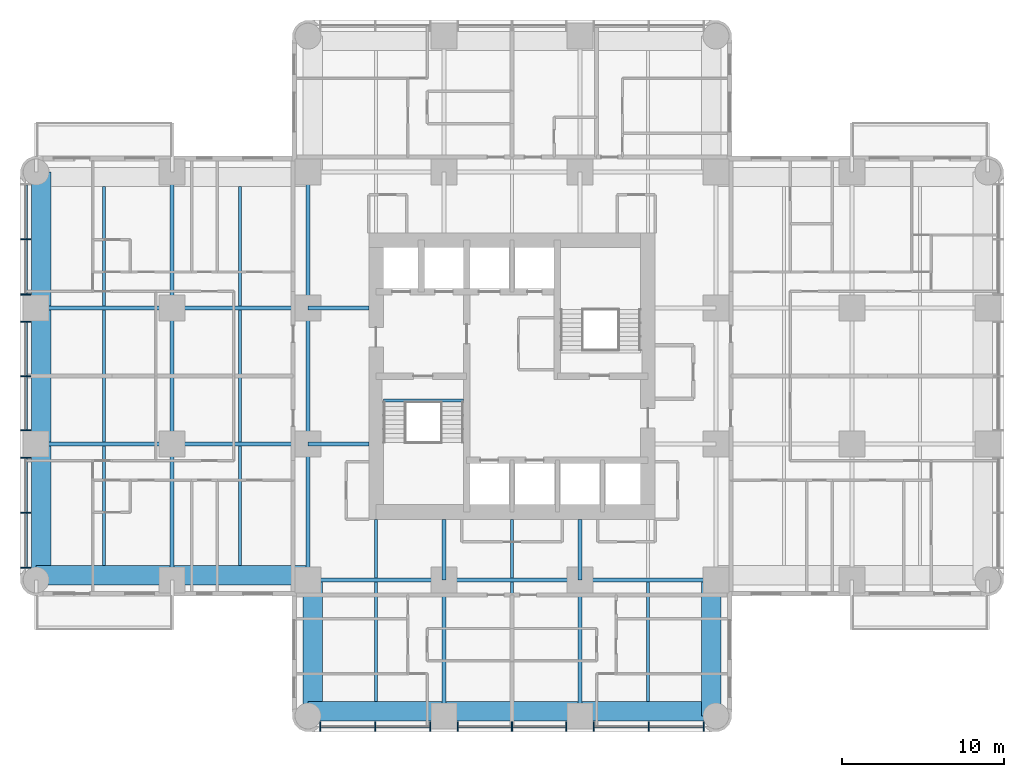
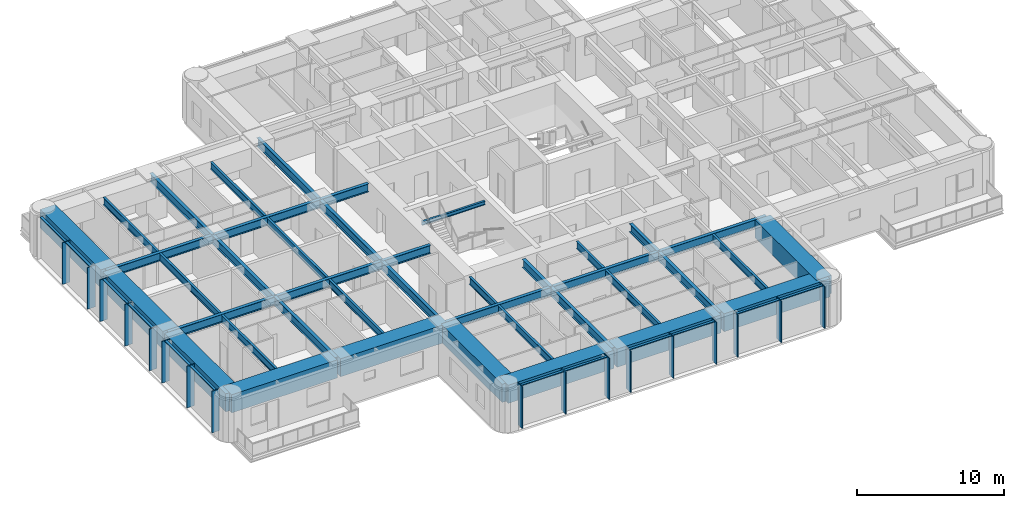
# One storey, part 2 of 15: 41 beams, 29 members, 2 elements without a shape of their own.
"""IFC4 building model written with IfcOpenShell, lengths in metres."""

from ifc_helpers import new_model, si_unit, direction, frame, origin, origin_2d, place, context, subcontext, project, spatial, rectangle, i_section, extrude, material, material_profile, profile_set, type_object, element, aggregate, save


model = new_model("IFC4")

# Units and contexts
model_context = context("Model", 3, precision=1e-05, world=origin(), true_north=direction((0.0, 1.0)))
body_context = subcontext(model_context, "Body", "Model", "MODEL_VIEW")
ifc_project = project(units=[si_unit("LENGTHUNIT", "METRE"), si_unit("AREAUNIT", "SQUARE_METRE"), si_unit("VOLUMEUNIT", "CUBIC_METRE"), si_unit("PLANEANGLEUNIT", "RADIAN"), si_unit("MASSUNIT", "GRAM", prefix="KILO")], contexts=[model_context])

# Site, building, storey
site_placement = place(None, origin())
site = spatial("IfcSite", under=ifc_project, at=site_placement, CompositionType="ELEMENT")
building_placement = place(site_placement, origin())
building = spatial("IfcBuilding", under=site, at=building_placement, Name="Torre Alcanfor", CompositionType="ELEMENT")
storey_placement = place(building_placement, frame((0.0, 0.0, 144.89990234375)))
storey = spatial("IfcBuildingStorey", under=building, at=storey_placement, Name="L37", CompositionType="ELEMENT", Elevation=144.89990234375)

# Curtain wall, members
ifc_material_1 = material(Name="Aluminium and glass", Category="aluminium")
curtain_wall_type = type_object("IfcCurtainWallType", Name="CW-A unitised apartment glazing with vertical FIN", PredefinedType="NOTDEFINED", material=ifc_material_1)
curtain_wall_1_placement = place(storey_placement, origin())
curtain_wall_1 = element("IfcCurtainWall", 1, at=curtain_wall_1_placement, inside=storey, type_object=curtain_wall_type, Name="Curtain wall CW-A L37 2", PredefinedType="NOTDEFINED")
ifc_material_2 = material(Name="Bronze anodised aluminium", Category="aluminium")
ifc_material_profile_1 = material_profile(ifc_material_2, rectangle(XDim=0.60009765625, YDim=0.06494140625, at=origin_2d()), Name="CW-A mullion 65x600")
ifc_profile_set_1 = profile_set([ifc_material_profile_1], Name="Bronze anodised aluminium")
member_type_1 = type_object("IfcMemberType", Name="CW-A mullion with vertical FIN 65x600", PredefinedType="MULLION", material=ifc_profile_set_1)
member_1_placement = place(storey_placement, frame((-0.64990234375, 37.840087890625, 0.0), z_axis=(0.0, 0.0, 1.0), x_axis=(1.0, 0.0, 0.0)))
member_1 = element("IfcMember", 2, at=member_1_placement, type_object=member_type_1, Name="CW-A mullion 1.2", PredefinedType="MULLION", context=body_context, shape_type="SweptSolid", body=[
    extrude(rectangle(XDim=0.60009765625, YDim=0.06494140625, at=origin_2d()), origin(), (0.0, 0.0, 1.0), 3.4501953125),
])
member_2_placement = place(storey_placement, frame((-0.64990234375, 34.4375, 0.0), z_axis=(0.0, 0.0, 1.0), x_axis=(1.0, 0.0, 0.0)))
member_2 = element("IfcMember", 3, at=member_2_placement, type_object=member_type_1, Name="CW-A mullion 1.3", PredefinedType="MULLION", context=body_context, shape_type="SweptSolid", body=[
    extrude(rectangle(XDim=0.60009765625, YDim=0.06494140625, at=origin_2d()), origin(), (0.0, 0.0, 1.0), 3.4501953125),
])
member_3_placement = place(storey_placement, frame((-0.64990234375, 32.762451171875, 0.0), z_axis=(0.0, 0.0, 1.0), x_axis=(1.0, 0.0, 0.0)))
member_3 = element("IfcMember", 4, at=member_3_placement, type_object=member_type_1, Name="CW-A mullion 2.1", PredefinedType="MULLION", context=body_context, shape_type="SweptSolid", body=[
    extrude(rectangle(XDim=0.60009765625, YDim=0.06494140625, at=origin_2d()), origin(), (0.0, 0.0, 1.0), 3.4501953125),
])
member_4_placement = place(storey_placement, frame((-0.64990234375, 29.39990234375, 0.0), z_axis=(0.0, 0.0, 1.0), x_axis=(1.0, 0.0, 0.0)))
member_4 = element("IfcMember", 5, at=member_4_placement, type_object=member_type_1, Name="CW-A mullion 2.2", PredefinedType="MULLION", context=body_context, shape_type="SweptSolid", body=[
    extrude(rectangle(XDim=0.60009765625, YDim=0.06494140625, at=origin_2d()), origin(), (0.0, 0.0, 1.0), 3.4501953125),
])
member_5_placement = place(storey_placement, frame((-0.64990234375, 26.03759765625, 0.0), z_axis=(0.0, 0.0, 1.0), x_axis=(1.0, 0.0, 0.0)))
member_5 = element("IfcMember", 6, at=member_5_placement, type_object=member_type_1, Name="CW-A mullion 2.3", PredefinedType="MULLION", context=body_context, shape_type="SweptSolid", body=[
    extrude(rectangle(XDim=0.60009765625, YDim=0.06494140625, at=origin_2d()), origin(), (0.0, 0.0, 1.0), 3.4501953125),
])
member_6_placement = place(storey_placement, frame((-0.64990234375, 24.362548828125, 0.0), z_axis=(0.0, 0.0, 1.0), x_axis=(1.0, 0.0, 0.0)))
member_6 = element("IfcMember", 7, at=member_6_placement, type_object=member_type_1, Name="CW-A mullion 3.1", PredefinedType="MULLION", context=body_context, shape_type="SweptSolid", body=[
    extrude(rectangle(XDim=0.60009765625, YDim=0.06494140625, at=origin_2d()), origin(), (0.0, 0.0, 1.0), 3.4501953125),
])
member_7_placement = place(storey_placement, frame((-0.64990234375, 20.9599609375, 0.0), z_axis=(0.0, 0.0, 1.0), x_axis=(1.0, 0.0, 0.0)))
member_7 = element("IfcMember", 8, at=member_7_placement, type_object=member_type_1, Name="CW-A mullion 3.2", PredefinedType="MULLION", context=body_context, shape_type="SweptSolid", body=[
    extrude(rectangle(XDim=0.60009765625, YDim=0.06494140625, at=origin_2d()), origin(), (0.0, 0.0, 1.0), 3.4501953125),
])
member_8_placement = place(storey_placement, frame((-0.64990234375, 17.557373046875, 0.0), z_axis=(0.0, 0.0, 1.0), x_axis=(1.0, 0.0, 0.0)))
member_8 = element("IfcMember", 9, at=member_8_placement, type_object=member_type_1, Name="CW-A mullion 3.3", PredefinedType="MULLION", context=body_context, shape_type="SweptSolid", body=[
    extrude(rectangle(XDim=0.60009765625, YDim=0.06494140625, at=origin_2d()), origin(), (0.0, 0.0, 1.0), 3.4501953125),
])

curtain_wall_2_placement = place(storey_placement, origin())
curtain_wall_2 = element("IfcCurtainWall", 10, at=curtain_wall_2_placement, inside=storey, type_object=curtain_wall_type, Name="Curtain wall CW-A L37 5", PredefinedType="NOTDEFINED")
member_9_placement = place(storey_placement, frame((17.557373046875, 7.75, 0.0), z_axis=(0.0, 0.0, 1.0), x_axis=(0.0, 1.0, 0.0)))
member_9 = element("IfcMember", 11, at=member_9_placement, type_object=member_type_1, Name="CW-A mullion 1.1", PredefinedType="MULLION", context=body_context, shape_type="SweptSolid", body=[
    extrude(rectangle(XDim=0.60009765625, YDim=0.06494140625, at=origin_2d()), origin(), (0.0, 0.0, 1.0), 3.4501953125),
])
member_10_placement = place(storey_placement, frame((20.9599609375, 7.75, 0.0), z_axis=(0.0, 0.0, 1.0), x_axis=(0.0, 1.0, 0.0)))
member_10 = element("IfcMember", 12, at=member_10_placement, type_object=member_type_1, Name="CW-A mullion 1.2", PredefinedType="MULLION", context=body_context, shape_type="SweptSolid", body=[
    extrude(rectangle(XDim=0.60009765625, YDim=0.06494140625, at=origin_2d()), origin(), (0.0, 0.0, 1.0), 3.4501953125),
])
member_11_placement = place(storey_placement, frame((24.362548828125, 7.75, 0.0), z_axis=(0.0, 0.0, 1.0), x_axis=(0.0, 1.0, 0.0)))
member_11 = element("IfcMember", 13, at=member_11_placement, type_object=member_type_1, Name="CW-A mullion 1.3", PredefinedType="MULLION", context=body_context, shape_type="SweptSolid", body=[
    extrude(rectangle(XDim=0.60009765625, YDim=0.06494140625, at=origin_2d()), origin(), (0.0, 0.0, 1.0), 3.4501953125),
])
member_12_placement = place(storey_placement, frame((26.03759765625, 7.75, 0.0), z_axis=(0.0, 0.0, 1.0), x_axis=(0.0, 1.0, 0.0)))
member_12 = element("IfcMember", 14, at=member_12_placement, type_object=member_type_1, Name="CW-A mullion 2.1", PredefinedType="MULLION", context=body_context, shape_type="SweptSolid", body=[
    extrude(rectangle(XDim=0.60009765625, YDim=0.06494140625, at=origin_2d()), origin(), (0.0, 0.0, 1.0), 3.4501953125),
])
member_13_placement = place(storey_placement, frame((29.39990234375, 7.75, 0.0), z_axis=(0.0, 0.0, 1.0), x_axis=(0.0, 1.0, 0.0)))
member_13 = element("IfcMember", 15, at=member_13_placement, type_object=member_type_1, Name="CW-A mullion 2.2", PredefinedType="MULLION", context=body_context, shape_type="SweptSolid", body=[
    extrude(rectangle(XDim=0.60009765625, YDim=0.06494140625, at=origin_2d()), origin(), (0.0, 0.0, 1.0), 3.4501953125),
])
member_14_placement = place(storey_placement, frame((32.762451171875, 7.75, 0.0), z_axis=(0.0, 0.0, 1.0), x_axis=(0.0, 1.0, 0.0)))
member_14 = element("IfcMember", 16, at=member_14_placement, type_object=member_type_1, Name="CW-A mullion 2.3", PredefinedType="MULLION", context=body_context, shape_type="SweptSolid", body=[
    extrude(rectangle(XDim=0.60009765625, YDim=0.06494140625, at=origin_2d()), origin(), (0.0, 0.0, 1.0), 3.4501953125),
])
member_15_placement = place(storey_placement, frame((34.4375, 7.75, 0.0), z_axis=(0.0, 0.0, 1.0), x_axis=(0.0, 1.0, 0.0)))
member_15 = element("IfcMember", 17, at=member_15_placement, type_object=member_type_1, Name="CW-A mullion 3.1", PredefinedType="MULLION", context=body_context, shape_type="SweptSolid", body=[
    extrude(rectangle(XDim=0.60009765625, YDim=0.06494140625, at=origin_2d()), origin(), (0.0, 0.0, 1.0), 3.4501953125),
])
member_16_placement = place(storey_placement, frame((37.840087890625, 7.75, 0.0), z_axis=(0.0, 0.0, 1.0), x_axis=(0.0, 1.0, 0.0)))
member_16 = element("IfcMember", 18, at=member_16_placement, type_object=member_type_1, Name="CW-A mullion 3.2", PredefinedType="MULLION", context=body_context, shape_type="SweptSolid", body=[
    extrude(rectangle(XDim=0.60009765625, YDim=0.06494140625, at=origin_2d()), origin(), (0.0, 0.0, 1.0), 3.4501953125),
])
member_17_placement = place(storey_placement, frame((41.24267578125, 7.75, 0.0), z_axis=(0.0, 0.0, 1.0), x_axis=(0.0, 1.0, 0.0)))
member_17 = element("IfcMember", 19, at=member_17_placement, type_object=member_type_1, Name="CW-A mullion 3.3", PredefinedType="MULLION", context=body_context, shape_type="SweptSolid", body=[
    extrude(rectangle(XDim=0.60009765625, YDim=0.06494140625, at=origin_2d()), origin(), (0.0, 0.0, 1.0), 3.4501953125),
])

# Member
ifc_material_3 = material(Name="Extruded aluminium", Category="aluminium")
ifc_material_profile_2 = material_profile(ifc_material_3, rectangle(XDim=0.199951171875, YDim=0.06494140625, at=origin_2d()), Name="CW-A transom 200x65")
ifc_profile_set_2 = profile_set([ifc_material_profile_2], Name="Extruded aluminium")
member_type_2 = type_object("IfcMemberType", Name="CW-A transom 65x200", PredefinedType="USERDEFINED", material=ifc_profile_set_2)
member_18_placement = place(storey_placement, frame((-0.64990234375, 41.210205078125, 3.41748046875), z_axis=(0.0, -1.0, 0.0), x_axis=(1.0, 0.0, 0.0)))
member_18 = element("IfcMember", 20, at=member_18_placement, type_object=member_type_2, Name="CW-A transom 1.1.2", ObjectType="TRANSOM", PredefinedType="USERDEFINED", context=body_context, shape_type="SweptSolid", body=[
    extrude(rectangle(XDim=0.199951171875, YDim=0.06494140625, at=origin_2d()), origin(), (0.0, 0.0, 1.0), 3.337646484375),
])

member_19_placement = place(storey_placement, frame((-0.64990234375, 37.8076171875, 3.41748046875), z_axis=(0.0, -1.0, 0.0), x_axis=(1.0, 0.0, 0.0)))
member_19 = element("IfcMember", 21, at=member_19_placement, type_object=member_type_2, Name="CW-A transom 1.2.2", ObjectType="TRANSOM", PredefinedType="USERDEFINED", context=body_context, shape_type="SweptSolid", body=[
    extrude(rectangle(XDim=0.199951171875, YDim=0.06494140625, at=origin_2d()), origin(), (0.0, 0.0, 1.0), 3.337646484375),
])

member_20_placement = place(storey_placement, frame((-0.64990234375, 32.72998046875, 3.41748046875), z_axis=(0.0, -1.0, 0.0), x_axis=(1.0, 0.0, 0.0)))
member_20 = element("IfcMember", 22, at=member_20_placement, type_object=member_type_2, Name="CW-A transom 2.1.2", ObjectType="TRANSOM", PredefinedType="USERDEFINED", context=body_context, shape_type="SweptSolid", body=[
    extrude(rectangle(XDim=0.199951171875, YDim=0.06494140625, at=origin_2d()), origin(), (0.0, 0.0, 1.0), 3.29736328125),
])

member_21_placement = place(storey_placement, frame((-0.64990234375, 29.367431640625, 3.41748046875), z_axis=(0.0, -1.0, 0.0), x_axis=(1.0, 0.0, 0.0)))
member_21 = element("IfcMember", 23, at=member_21_placement, type_object=member_type_2, Name="CW-A transom 2.2.2", ObjectType="TRANSOM", PredefinedType="USERDEFINED", context=body_context, shape_type="SweptSolid", body=[
    extrude(rectangle(XDim=0.199951171875, YDim=0.06494140625, at=origin_2d()), origin(), (0.0, 0.0, 1.0), 3.29736328125),
])

member_22_placement = place(storey_placement, frame((-0.64990234375, 24.330078125, 3.41748046875), z_axis=(0.0, -1.0, 0.0), x_axis=(1.0, 0.0, 0.0)))
member_22 = element("IfcMember", 24, at=member_22_placement, type_object=member_type_2, Name="CW-A transom 3.1.2", ObjectType="TRANSOM", PredefinedType="USERDEFINED", context=body_context, shape_type="SweptSolid", body=[
    extrude(rectangle(XDim=0.199951171875, YDim=0.06494140625, at=origin_2d()), origin(), (0.0, 0.0, 1.0), 3.337646484375),
])

member_23_placement = place(storey_placement, frame((-0.64990234375, 20.927490234375, 3.41748046875), z_axis=(0.0, -1.0, 0.0), x_axis=(1.0, 0.0, 0.0)))
member_23 = element("IfcMember", 25, at=member_23_placement, type_object=member_type_2, Name="CW-A transom 3.2.2", ObjectType="TRANSOM", PredefinedType="USERDEFINED", context=body_context, shape_type="SweptSolid", body=[
    extrude(rectangle(XDim=0.199951171875, YDim=0.06494140625, at=origin_2d()), origin(), (0.0, 0.0, 1.0), 3.337646484375),
])

aggregate(curtain_wall_1, [member_1, member_2, member_18, member_19, member_3, member_4, member_5, member_20, member_21, member_6, member_7, member_8, member_22, member_23])

member_24_placement = place(storey_placement, frame((17.58984375, 7.75, 3.41748046875), z_axis=(1.0, 0.0, 0.0), x_axis=(0.0, 1.0, 0.0)))
member_24 = element("IfcMember", 26, at=member_24_placement, type_object=member_type_2, Name="CW-A transom 1.1.2", ObjectType="TRANSOM", PredefinedType="USERDEFINED", context=body_context, shape_type="SweptSolid", body=[
    extrude(rectangle(XDim=0.199951171875, YDim=0.06494140625, at=origin_2d()), origin(), (0.0, 0.0, 1.0), 3.337646484375),
])

member_25_placement = place(storey_placement, frame((20.992431640625, 7.75, 3.41748046875), z_axis=(1.0, 0.0, 0.0), x_axis=(0.0, 1.0, 0.0)))
member_25 = element("IfcMember", 27, at=member_25_placement, type_object=member_type_2, Name="CW-A transom 1.2.2", ObjectType="TRANSOM", PredefinedType="USERDEFINED", context=body_context, shape_type="SweptSolid", body=[
    extrude(rectangle(XDim=0.199951171875, YDim=0.06494140625, at=origin_2d()), origin(), (0.0, 0.0, 1.0), 3.337646484375),
])

member_26_placement = place(storey_placement, frame((26.070068359375, 7.75, 3.41748046875), z_axis=(1.0, 0.0, 0.0), x_axis=(0.0, 1.0, 0.0)))
member_26 = element("IfcMember", 28, at=member_26_placement, type_object=member_type_2, Name="CW-A transom 2.1.2", ObjectType="TRANSOM", PredefinedType="USERDEFINED", context=body_context, shape_type="SweptSolid", body=[
    extrude(rectangle(XDim=0.199951171875, YDim=0.06494140625, at=origin_2d()), origin(), (0.0, 0.0, 1.0), 3.29736328125),
])

member_27_placement = place(storey_placement, frame((29.4326171875, 7.75, 3.41748046875), z_axis=(1.0, 0.0, 0.0), x_axis=(0.0, 1.0, 0.0)))
member_27 = element("IfcMember", 29, at=member_27_placement, type_object=member_type_2, Name="CW-A transom 2.2.2", ObjectType="TRANSOM", PredefinedType="USERDEFINED", context=body_context, shape_type="SweptSolid", body=[
    extrude(rectangle(XDim=0.199951171875, YDim=0.06494140625, at=origin_2d()), origin(), (0.0, 0.0, 1.0), 3.29736328125),
])

member_28_placement = place(storey_placement, frame((34.469970703125, 7.75, 3.41748046875), z_axis=(1.0, 0.0, 0.0), x_axis=(0.0, 1.0, 0.0)))
member_28 = element("IfcMember", 30, at=member_28_placement, type_object=member_type_2, Name="CW-A transom 3.1.2", ObjectType="TRANSOM", PredefinedType="USERDEFINED", context=body_context, shape_type="SweptSolid", body=[
    extrude(rectangle(XDim=0.199951171875, YDim=0.06494140625, at=origin_2d()), origin(), (0.0, 0.0, 1.0), 3.337646484375),
])

member_29_placement = place(storey_placement, frame((37.87255859375, 7.75, 3.41748046875), z_axis=(1.0, 0.0, 0.0), x_axis=(0.0, 1.0, 0.0)))
member_29 = element("IfcMember", 31, at=member_29_placement, type_object=member_type_2, Name="CW-A transom 3.2.2", ObjectType="TRANSOM", PredefinedType="USERDEFINED", context=body_context, shape_type="SweptSolid", body=[
    extrude(rectangle(XDim=0.199951171875, YDim=0.06494140625, at=origin_2d()), origin(), (0.0, 0.0, 1.0), 3.337646484375),
])

aggregate(curtain_wall_2, [member_9, member_10, member_11, member_24, member_25, member_12, member_13, member_14, member_26, member_27, member_15, member_16, member_17, member_28, member_29])

# Beams
ifc_material_4 = material(Name="Steel ASTM A992 Grade 50", Category="steel")
ifc_material_profile_3 = material_profile(ifc_material_4, i_section(OverallWidth=0.25390625, OverallDepth=0.683349609375, WebThickness=0.012451171875, FlangeThickness=0.01904296875, at=origin_2d()), Name="W27x94")
ifc_profile_set_3 = profile_set([ifc_material_profile_3], Name="Steel ASTM A992 Grade 50")
beam_type_1 = type_object("IfcBeamType", Name="Girder W27x94", PredefinedType="BEAM", material=ifc_profile_set_3)
beam_1_placement = place(storey_placement, frame((16.800048828125, 16.800048828125, 3.1083984375), z_axis=(1.0, 0.0, 0.0), x_axis=(0.0, 1.0, 0.0)))
element("IfcBeam", 32, at=beam_1_placement, inside=storey, type_object=beam_type_1, Name="Beam 3E-4E under L38", PredefinedType="BEAM", context=body_context, shape_type="SweptSolid", body=[
    extrude(i_section(OverallWidth=0.25390625, OverallDepth=0.683349609375, WebThickness=0.012451171875, FlangeThickness=0.01904296875, at=origin_2d()), origin(), (0.0, 0.0, 1.0), 8.39990234375),
])
beam_2_placement = place(storey_placement, frame((25.199951171875, 16.800048828125, 3.1083984375), z_axis=(1.0, 0.0, 0.0), x_axis=(0.0, 1.0, 0.0)))
element("IfcBeam", 33, at=beam_2_placement, inside=storey, type_object=beam_type_1, Name="Beam 4E-5E under L38", PredefinedType="BEAM", context=body_context, shape_type="SweptSolid", body=[
    extrude(i_section(OverallWidth=0.25390625, OverallDepth=0.683349609375, WebThickness=0.012451171875, FlangeThickness=0.01904296875, at=origin_2d()), origin(), (0.0, 0.0, 1.0), 8.400146484375),
])
for number, where, z_axis, x_axis, name in (
    (34, (33.60009765625, 16.800048828125, 3.1083984375), (1.0, 0.0, 0.0), (0.0, 1.0, 0.0), "Beam 5E-6E under L38"),
    (35, (0.0, 25.199951171875, 3.1083984375), (1.0, 0.0, 0.0), (0.0, 1.0, 0.0), "Beam 1F-2F under L38"),
):
    element("IfcBeam", number, at=place(storey_placement, frame(where, z_axis=z_axis, x_axis=x_axis)), inside=storey, type_object=beam_type_1, Name=name, PredefinedType="BEAM", context=body_context, shape_type="SweptSolid", body=[
        extrude(i_section(OverallWidth=0.25390625, OverallDepth=0.683349609375, WebThickness=0.012451171875, FlangeThickness=0.01904296875, at=origin_2d()), origin(), (0.0, 0.0, 1.0), 8.39990234375),
    ])
beam_3_placement = place(storey_placement, frame((8.39990234375, 25.199951171875, 3.1083984375), z_axis=(1.0, 0.0, 0.0), x_axis=(0.0, 1.0, 0.0)))
element("IfcBeam", 36, at=beam_3_placement, inside=storey, type_object=beam_type_1, Name="Beam 2F-3F under L38", PredefinedType="BEAM", context=body_context, shape_type="SweptSolid", body=[
    extrude(i_section(OverallWidth=0.25390625, OverallDepth=0.683349609375, WebThickness=0.012451171875, FlangeThickness=0.01904296875, at=origin_2d()), origin(), (0.0, 0.0, 1.0), 8.400146484375),
])
beam_4_placement = place(storey_placement, frame((0.0, 33.60009765625, 3.1083984375), z_axis=(1.0, 0.0, 0.0), x_axis=(0.0, 1.0, 0.0)))
element("IfcBeam", 37, at=beam_4_placement, inside=storey, type_object=beam_type_1, Name="Beam 1G-2G under L38", PredefinedType="BEAM", context=body_context, shape_type="SweptSolid", body=[
    extrude(i_section(OverallWidth=0.25390625, OverallDepth=0.683349609375, WebThickness=0.012451171875, FlangeThickness=0.01904296875, at=origin_2d()), origin(), (0.0, 0.0, 1.0), 8.39990234375),
])
beam_5_placement = place(storey_placement, frame((8.39990234375, 33.60009765625, 3.1083984375), z_axis=(1.0, 0.0, 0.0), x_axis=(0.0, 1.0, 0.0)))
element("IfcBeam", 38, at=beam_5_placement, inside=storey, type_object=beam_type_1, Name="Beam 2G-3G under L38", PredefinedType="BEAM", context=body_context, shape_type="SweptSolid", body=[
    extrude(i_section(OverallWidth=0.25390625, OverallDepth=0.683349609375, WebThickness=0.012451171875, FlangeThickness=0.01904296875, at=origin_2d()), origin(), (0.0, 0.0, 1.0), 8.400146484375),
])
beam_6_placement = place(storey_placement, frame((8.39990234375, 16.800048828125, 3.1083984375), z_axis=(0.0, 1.0, 0.0), x_axis=(-1.0, 0.0, 0.0)))
element("IfcBeam", 39, at=beam_6_placement, inside=storey, type_object=beam_type_1, Name="Beam 2E-2F under L38", PredefinedType="BEAM", context=body_context, shape_type="SweptSolid", body=[
    extrude(i_section(OverallWidth=0.25390625, OverallDepth=0.683349609375, WebThickness=0.012451171875, FlangeThickness=0.01904296875, at=origin_2d()), origin(), (0.0, 0.0, 1.0), 8.39990234375),
])
beam_7_placement = place(storey_placement, frame((8.39990234375, 25.199951171875, 3.1083984375), z_axis=(0.0, 1.0, 0.0), x_axis=(-1.0, 0.0, 0.0)))
element("IfcBeam", 40, at=beam_7_placement, inside=storey, type_object=beam_type_1, Name="Beam 2F-2G under L38", PredefinedType="BEAM", context=body_context, shape_type="SweptSolid", body=[
    extrude(i_section(OverallWidth=0.25390625, OverallDepth=0.683349609375, WebThickness=0.012451171875, FlangeThickness=0.01904296875, at=origin_2d()), origin(), (0.0, 0.0, 1.0), 8.400146484375),
])
for number, where, z_axis, x_axis, name in (
    (41, (8.39990234375, 33.60009765625, 3.1083984375), (0.0, 1.0, 0.0), (-1.0, 0.0, 0.0), "Beam 2G-2H under L38"),
    (42, (16.800048828125, 16.800048828125, 3.1083984375), (0.0, 1.0, 0.0), (-1.0, 0.0, 0.0), "Beam 3E-3F under L38"),
):
    element("IfcBeam", number, at=place(storey_placement, frame(where, z_axis=z_axis, x_axis=x_axis)), inside=storey, type_object=beam_type_1, Name=name, PredefinedType="BEAM", context=body_context, shape_type="SweptSolid", body=[
        extrude(i_section(OverallWidth=0.25390625, OverallDepth=0.683349609375, WebThickness=0.012451171875, FlangeThickness=0.01904296875, at=origin_2d()), origin(), (0.0, 0.0, 1.0), 8.39990234375),
    ])
beam_8_placement = place(storey_placement, frame((16.800048828125, 25.199951171875, 3.1083984375), z_axis=(0.0, 1.0, 0.0), x_axis=(-1.0, 0.0, 0.0)))
element("IfcBeam", 43, at=beam_8_placement, inside=storey, type_object=beam_type_1, Name="Beam 3F-3G under L38", PredefinedType="BEAM", context=body_context, shape_type="SweptSolid", body=[
    extrude(i_section(OverallWidth=0.25390625, OverallDepth=0.683349609375, WebThickness=0.012451171875, FlangeThickness=0.01904296875, at=origin_2d()), origin(), (0.0, 0.0, 1.0), 8.400146484375),
])
beam_9_placement = place(storey_placement, frame((16.800048828125, 33.60009765625, 3.1083984375), z_axis=(0.0, 1.0, 0.0), x_axis=(-1.0, 0.0, 0.0)))
element("IfcBeam", 44, at=beam_9_placement, inside=storey, type_object=beam_type_1, Name="Beam 3G-3H under L38", PredefinedType="BEAM", context=body_context, shape_type="SweptSolid", body=[
    extrude(i_section(OverallWidth=0.25390625, OverallDepth=0.683349609375, WebThickness=0.012451171875, FlangeThickness=0.01904296875, at=origin_2d()), origin(), (0.0, 0.0, 1.0), 8.39990234375),
])
for number, where, z_axis, x_axis, name in (
    (45, (25.199951171875, 8.39990234375, 3.1083984375), (0.0, 1.0, 0.0), (-1.0, 0.0, 0.0), "Beam 4D-4E under L38"),
    (46, (33.60009765625, 8.39990234375, 3.1083984375), (0.0, 1.0, 0.0), (-1.0, 0.0, 0.0), "Beam 5D-5E under L38"),
):
    element("IfcBeam", number, at=place(storey_placement, frame(where, z_axis=z_axis, x_axis=x_axis)), inside=storey, type_object=beam_type_1, Name=name, PredefinedType="BEAM", context=body_context, shape_type="SweptSolid", body=[
        extrude(i_section(OverallWidth=0.25390625, OverallDepth=0.683349609375, WebThickness=0.012451171875, FlangeThickness=0.01904296875, at=origin_2d()), origin(), (0.0, 0.0, 1.0), 8.400146484375),
    ])
ifc_material_5 = material(Name="Steel ASTM A992 Grade 50", Category="steel")
ifc_material_profile_4 = material_profile(ifc_material_5, i_section(OverallWidth=0.25390625, OverallDepth=0.683349609375, WebThickness=0.012451171875, FlangeThickness=0.01904296875, at=origin_2d()), Name="W27x94")
ifc_profile_set_4 = profile_set([ifc_material_profile_4], Name="Steel ASTM A992 Grade 50")
beam_type_2 = type_object("IfcBeamType", Name="Girder, part bay W27x94", PredefinedType="BEAM", material=ifc_profile_set_4)
for number, where, z_axis, x_axis, name in (
    (47, (25.199951171875, 16.800048828125, 3.1083984375), (0.0, 1.0, 0.0), (-1.0, 0.0, 0.0), "Beam 4E-420_55 under L38"),
    (48, (33.60009765625, 16.800048828125, 3.1083984375), (0.0, 1.0, 0.0), (-1.0, 0.0, 0.0), "Beam 5E-520_55 under L38"),
    (49, (16.800048828125, 25.199951171875, 3.1083984375), (1.0, 0.0, 0.0), (0.0, 1.0, 0.0), "Beam 3F-20_55F under L38"),
    (50, (16.800048828125, 33.60009765625, 3.1083984375), (1.0, 0.0, 0.0), (0.0, 1.0, 0.0), "Beam 3G-20_55G under L38"),
):
    element("IfcBeam", number, at=place(storey_placement, frame(where, z_axis=z_axis, x_axis=x_axis)), inside=storey, type_object=beam_type_2, Name=name, PredefinedType="BEAM", context=body_context, shape_type="SweptSolid", body=[
        extrude(i_section(OverallWidth=0.25390625, OverallDepth=0.683349609375, WebThickness=0.012451171875, FlangeThickness=0.01904296875, at=origin_2d()), origin(), (0.0, 0.0, 1.0), 3.75),
    ])
ifc_material_6 = material(Name="Concrete f'c 70 MPa", Category="concrete")
ifc_material_profile_5 = material_profile(ifc_material_6, rectangle(XDim=1.199951171875, YDim=1.5, at=origin_2d()), Name="1200x1500")
ifc_profile_set_5 = profile_set([ifc_material_profile_5], Name="Concrete f'c 70 MPa")
beam_type_3 = type_object("IfcBeamType", Name="RC perimeter beam 1200x1500", PredefinedType="BEAM", material=ifc_profile_set_5)
beam_10_placement = place(storey_placement, frame((16.800048828125, 8.699951171875, 2.7001953125), z_axis=(1.0, 0.0, 0.0), x_axis=(0.0, 1.0, 0.0)))
element("IfcBeam", 51, at=beam_10_placement, inside=storey, type_object=beam_type_3, Name="Beam 3D-4D under L38", PredefinedType="BEAM", context=body_context, shape_type="SweptSolid", body=[
    extrude(rectangle(XDim=1.199951171875, YDim=1.5, at=origin_2d()), origin(), (0.0, 0.0, 1.0), 8.27294921875),
])
beam_11_placement = place(storey_placement, frame((25.326904296875, 8.699951171875, 2.7001953125), z_axis=(1.0, 0.0, 0.0), x_axis=(0.0, 1.0, 0.0)))
element("IfcBeam", 52, at=beam_11_placement, inside=storey, type_object=beam_type_3, Name="Beam 4D-5D under L38", PredefinedType="BEAM", context=body_context, shape_type="SweptSolid", body=[
    extrude(rectangle(XDim=1.199951171875, YDim=1.5, at=origin_2d()), origin(), (0.0, 0.0, 1.0), 8.14599609375),
])
for number, where, z_axis, x_axis, name in (
    (53, (33.72705078125, 8.699951171875, 2.7001953125), (1.0, 0.0, 0.0), (0.0, 1.0, 0.0), "Beam 5D-6D under L38"),
    (54, (0.0, 17.10009765625, 2.7001953125), (1.0, 0.0, 0.0), (0.0, 1.0, 0.0), "Beam 1E-2E under L38"),
):
    element("IfcBeam", number, at=place(storey_placement, frame(where, z_axis=z_axis, x_axis=x_axis)), inside=storey, type_object=beam_type_3, Name=name, PredefinedType="BEAM", context=body_context, shape_type="SweptSolid", body=[
        extrude(rectangle(XDim=1.199951171875, YDim=1.5, at=origin_2d()), origin(), (0.0, 0.0, 1.0), 8.27294921875),
    ])
beam_12_placement = place(storey_placement, frame((8.527099609375, 17.10009765625, 2.7001953125), z_axis=(1.0, 0.0, 0.0), x_axis=(0.0, 1.0, 0.0)))
element("IfcBeam", 55, at=beam_12_placement, inside=storey, type_object=beam_type_3, Name="Beam 2E-3E under L38", PredefinedType="BEAM", context=body_context, shape_type="SweptSolid", body=[
    extrude(rectangle(XDim=1.199951171875, YDim=1.5, at=origin_2d()), origin(), (0.0, 0.0, 1.0), 8.39990234375),
])
beam_13_placement = place(storey_placement, frame((0.300048828125, 16.800048828125, 2.7001953125), z_axis=(0.0, 1.0, 0.0), x_axis=(-1.0, 0.0, 0.0)))
element("IfcBeam", 56, at=beam_13_placement, inside=storey, type_object=beam_type_3, Name="Beam 1E-1F under L38", PredefinedType="BEAM", context=body_context, shape_type="SweptSolid", body=[
    extrude(rectangle(XDim=1.199951171875, YDim=1.5, at=origin_2d()), origin(), (0.0, 0.0, 1.0), 8.27294921875),
])
beam_14_placement = place(storey_placement, frame((0.300048828125, 25.326904296875, 2.7001953125), z_axis=(0.0, 1.0, 0.0), x_axis=(-1.0, 0.0, 0.0)))
element("IfcBeam", 57, at=beam_14_placement, inside=storey, type_object=beam_type_3, Name="Beam 1F-1G under L38", PredefinedType="BEAM", context=body_context, shape_type="SweptSolid", body=[
    extrude(rectangle(XDim=1.199951171875, YDim=1.5, at=origin_2d()), origin(), (0.0, 0.0, 1.0), 8.14599609375),
])
beam_15_placement = place(storey_placement, frame((0.300048828125, 33.72705078125, 2.7001953125), z_axis=(0.0, 1.0, 0.0), x_axis=(-1.0, 0.0, 0.0)))
element("IfcBeam", 58, at=beam_15_placement, inside=storey, type_object=beam_type_3, Name="Beam 1G-1H under L38", PredefinedType="BEAM", context=body_context, shape_type="SweptSolid", body=[
    extrude(rectangle(XDim=1.199951171875, YDim=1.5, at=origin_2d()), origin(), (0.0, 0.0, 1.0), 8.27294921875),
])
for number, where, z_axis, x_axis, name in (
    (59, (17.10009765625, 8.39990234375, 2.7001953125), (0.0, 1.0, 0.0), (-1.0, 0.0, 0.0), "Beam 3D-3E under L38"),
    (60, (41.699951171875, 8.39990234375, 2.7001953125), (0.0, 1.0, 0.0), (-1.0, 0.0, 0.0), "Beam 6D-6E under L38"),
):
    element("IfcBeam", number, at=place(storey_placement, frame(where, z_axis=z_axis, x_axis=x_axis)), inside=storey, type_object=beam_type_3, Name=name, PredefinedType="BEAM", context=body_context, shape_type="SweptSolid", body=[
        extrude(rectangle(XDim=1.199951171875, YDim=1.5, at=origin_2d()), origin(), (0.0, 0.0, 1.0), 8.273193359375),
    ])
ifc_material_7 = material(Name="Steel ASTM A992 Grade 50", Category="steel")
ifc_material_profile_6 = material_profile(ifc_material_7, i_section(OverallWidth=0.1787109375, OverallDepth=0.60205078125, WebThickness=0.010986328125, FlangeThickness=0.014892578125, at=origin_2d()), Name="W24x62")
ifc_profile_set_6 = profile_set([ifc_material_profile_6], Name="Steel ASTM A992 Grade 50")
beam_type_4 = type_object("IfcBeamType", Name="Secondary beam W24x62", PredefinedType="BEAM", material=ifc_profile_set_6)
beam_16_placement = place(storey_placement, frame((4.199951171875, 17.699951171875, 3.149169921875), z_axis=(0.0, 1.0, 0.0), x_axis=(-1.0, 0.0, 0.0)))
element("IfcBeam", 61, at=beam_16_placement, inside=storey, type_object=beam_type_4, Name="Beam 4_2E-4_2F under L38", PredefinedType="BEAM", context=body_context, shape_type="SweptSolid", body=[
    extrude(i_section(OverallWidth=0.1787109375, OverallDepth=0.60205078125, WebThickness=0.010986328125, FlangeThickness=0.014892578125, at=origin_2d()), origin(), (0.0, 0.0, 1.0), 7.373046875),
])
beam_17_placement = place(storey_placement, frame((4.199951171875, 25.326904296875, 3.149169921875), z_axis=(0.0, 1.0, 0.0), x_axis=(-1.0, 0.0, 0.0)))
element("IfcBeam", 62, at=beam_17_placement, inside=storey, type_object=beam_type_4, Name="Beam 4_2F-4_2G under L38", PredefinedType="BEAM", context=body_context, shape_type="SweptSolid", body=[
    extrude(i_section(OverallWidth=0.1787109375, OverallDepth=0.60205078125, WebThickness=0.010986328125, FlangeThickness=0.014892578125, at=origin_2d()), origin(), (0.0, 0.0, 1.0), 8.14599609375),
])
for number, where, z_axis, x_axis, name in (
    (63, (4.199951171875, 33.72705078125, 3.149169921875), (0.0, 1.0, 0.0), (-1.0, 0.0, 0.0), "Beam 4_2G-4_2H under L38"),
    (64, (12.60009765625, 17.699951171875, 3.149169921875), (0.0, 1.0, 0.0), (-1.0, 0.0, 0.0), "Beam 12_6E-12_6F under L38"),
):
    element("IfcBeam", number, at=place(storey_placement, frame(where, z_axis=z_axis, x_axis=x_axis)), inside=storey, type_object=beam_type_4, Name=name, PredefinedType="BEAM", context=body_context, shape_type="SweptSolid", body=[
        extrude(i_section(OverallWidth=0.1787109375, OverallDepth=0.60205078125, WebThickness=0.010986328125, FlangeThickness=0.014892578125, at=origin_2d()), origin(), (0.0, 0.0, 1.0), 7.373046875),
    ])
beam_18_placement = place(storey_placement, frame((12.60009765625, 25.326904296875, 3.149169921875), z_axis=(0.0, 1.0, 0.0), x_axis=(-1.0, 0.0, 0.0)))
element("IfcBeam", 65, at=beam_18_placement, inside=storey, type_object=beam_type_4, Name="Beam 12_6F-12_6G under L38", PredefinedType="BEAM", context=body_context, shape_type="SweptSolid", body=[
    extrude(i_section(OverallWidth=0.1787109375, OverallDepth=0.60205078125, WebThickness=0.010986328125, FlangeThickness=0.014892578125, at=origin_2d()), origin(), (0.0, 0.0, 1.0), 8.14599609375),
])
for number, where, z_axis, x_axis, name in (
    (66, (12.60009765625, 33.72705078125, 3.149169921875), (0.0, 1.0, 0.0), (-1.0, 0.0, 0.0), "Beam 12_6G-12_6H under L38"),
    (67, (21.0, 9.300048828125, 3.149169921875), (0.0, 1.0, 0.0), (-1.0, 0.0, 0.0), "Beam 21D-21E under L38"),
    (68, (29.39990234375, 9.300048828125, 3.149169921875), (0.0, 1.0, 0.0), (-1.0, 0.0, 0.0), "Beam 29_4D-29_4E under L38"),
    (69, (37.800048828125, 9.300048828125, 3.149169921875), (0.0, 1.0, 0.0), (-1.0, 0.0, 0.0), "Beam 37_8D-37_8E under L38"),
):
    element("IfcBeam", number, at=place(storey_placement, frame(where, z_axis=z_axis, x_axis=x_axis)), inside=storey, type_object=beam_type_4, Name=name, PredefinedType="BEAM", context=body_context, shape_type="SweptSolid", body=[
        extrude(i_section(OverallWidth=0.1787109375, OverallDepth=0.60205078125, WebThickness=0.010986328125, FlangeThickness=0.014892578125, at=origin_2d()), origin(), (0.0, 0.0, 1.0), 7.373046875),
    ])
ifc_material_8 = material(Name="Steel ASTM A992 Grade 50", Category="steel")
ifc_material_profile_7 = material_profile(ifc_material_8, i_section(OverallWidth=0.1787109375, OverallDepth=0.60205078125, WebThickness=0.010986328125, FlangeThickness=0.014892578125, at=origin_2d()), Name="W24x62")
ifc_profile_set_7 = profile_set([ifc_material_profile_7], Name="Steel ASTM A992 Grade 50")
beam_type_5 = type_object("IfcBeamType", Name="Secondary beam, part bay W24x62", PredefinedType="BEAM", material=ifc_profile_set_7)
for number, where, z_axis, x_axis, name in (
    (70, (21.0, 16.927001953125, 3.149169921875), (0.0, 1.0, 0.0), (-1.0, 0.0, 0.0), "Beam 21E-2120_55 under L38"),
    (71, (29.39990234375, 16.927001953125, 3.149169921875), (0.0, 1.0, 0.0), (-1.0, 0.0, 0.0), "Beam 29_4E-29_420_55 under L38"),
):
    element("IfcBeam", number, at=place(storey_placement, frame(where, z_axis=z_axis, x_axis=x_axis)), inside=storey, type_object=beam_type_5, Name=name, PredefinedType="BEAM", context=body_context, shape_type="SweptSolid", body=[
        extrude(i_section(OverallWidth=0.1787109375, OverallDepth=0.60205078125, WebThickness=0.010986328125, FlangeThickness=0.014892578125, at=origin_2d()), origin(), (0.0, 0.0, 1.0), 3.623046875),
    ])
ifc_material_9 = material(Name="Steel ASTM A992 Grade 50", Category="steel")
ifc_material_profile_8 = material_profile(ifc_material_9, i_section(OverallWidth=0.164794921875, OverallDepth=0.309814453125, WebThickness=0.005859375, FlangeThickness=0.009765625, at=origin_2d()), Name="W12x26")
ifc_profile_set_8 = profile_set([ifc_material_profile_8], Name="Steel ASTM A992 Grade 50")
beam_type_6 = type_object("IfcBeamType", Name="Stair landing beam W12x26", PredefinedType="BEAM", material=ifc_profile_set_8)
beam_19_placement = place(storey_placement, frame((21.449951171875, 27.887451171875, 3.2451171875), z_axis=(1.0, 0.0, 0.0), x_axis=(0.0, 1.0, 0.0)))
element("IfcBeam", 72, at=beam_19_placement, inside=storey, type_object=beam_type_6, Name="Landing trimmer S1 L38", PredefinedType="BEAM", context=body_context, shape_type="SweptSolid", body=[
    extrude(i_section(OverallWidth=0.164794921875, OverallDepth=0.309814453125, WebThickness=0.005859375, FlangeThickness=0.009765625, at=origin_2d()), origin(), (0.0, 0.0, 1.0), 4.949951171875),
])

save(model, "model.ifc")
